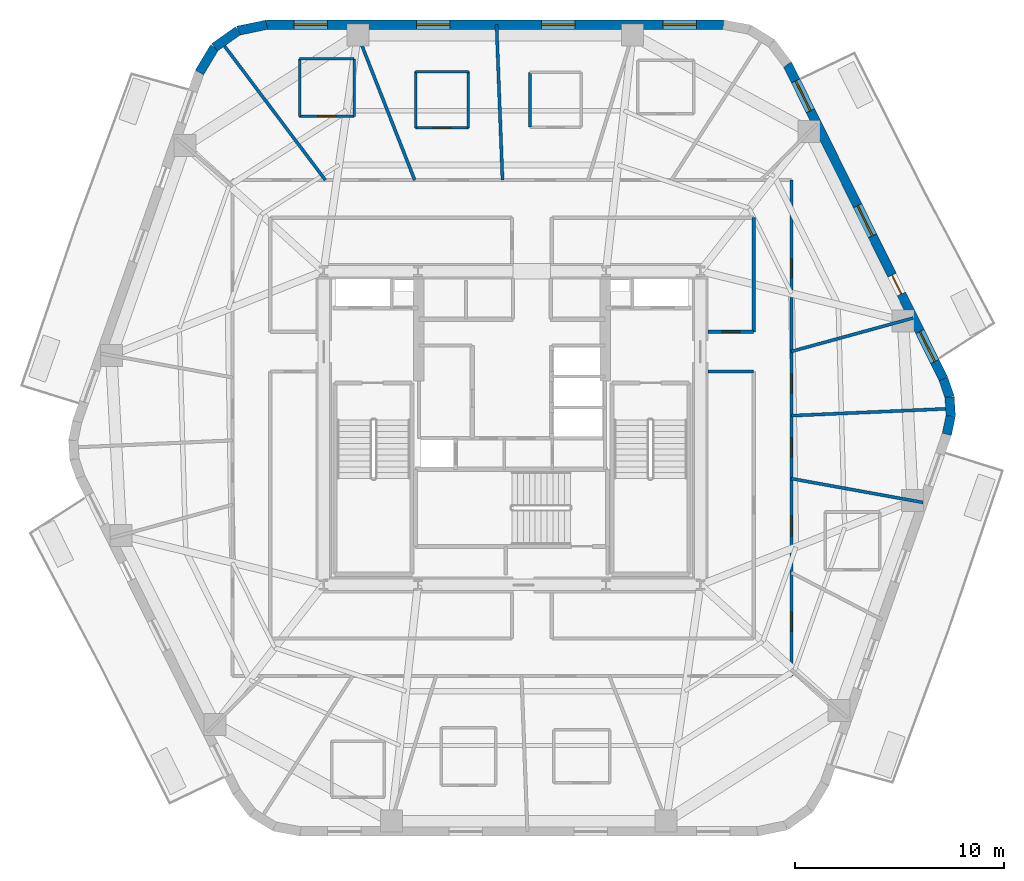
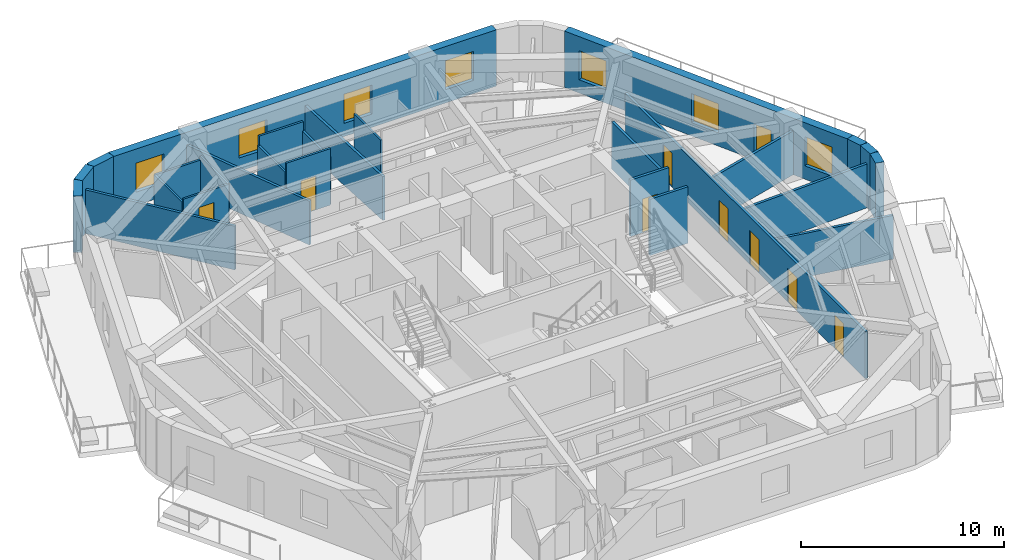
# One storey, part 6 of 10: 27 walls, 9 doors, 7 windows, 16 openings.
"""IFC4 building model written with IfcOpenShell, lengths in metres."""

from ifc_helpers import new_model, si_unit, direction, frame, frame_2d, origin, place, context, subcontext, project, spatial, rectangle, extrude, material, layer, layer_set, type_object, element, fill, save


model = new_model("IFC4")

# Units and contexts
model_context = context("Model", 3, precision=1e-05, world=origin(), true_north=direction((0.0, 1.0)))
body_context = subcontext(model_context, "Body", "Model", "MODEL_VIEW")
ifc_project = project(units=[si_unit("LENGTHUNIT", "METRE"), si_unit("AREAUNIT", "SQUARE_METRE"), si_unit("VOLUMEUNIT", "CUBIC_METRE"), si_unit("PLANEANGLEUNIT", "RADIAN"), si_unit("MASSUNIT", "GRAM", prefix="KILO")], contexts=[model_context])

# Site, building, storey
site_placement = place(None, origin())
site = spatial("IfcSite", under=ifc_project, at=site_placement, CompositionType="ELEMENT")
building_placement = place(site_placement, origin())
building = spatial("IfcBuilding", under=site, at=building_placement, Name="Kilnhurst Terrace Hotel", CompositionType="ELEMENT")
storey_placement = place(building_placement, frame((0.0, 0.0, 183.0)))
storey = spatial("IfcBuildingStorey", under=building, at=storey_placement, Name="L45", CompositionType="ELEMENT", Elevation=183.0)

# Walls
ifc_material_1 = material(Name="Precast concrete C40/50", Category="concrete")
ifc_layer_1 = layer(ifc_material_1, 0.449951171875, Name="Precast concrete C40/50")
ifc_layer_set_1 = layer_set([ifc_layer_1], Name="Precast concrete C40/50")
wall_type_1 = type_object("IfcWallType", Name="WL-BRK-450", PredefinedType="SOLIDWALL", material=ifc_layer_set_1)
wall_1_placement = place(storey_placement, frame((20.78173828125, -0.298095703125, 0.0), z_axis=(0.0, 0.0, 1.0), x_axis=(0.202570068411, 0.979267771033, 0.0)))
element("IfcWall", 1, at=wall_1_placement, inside=storey, type_object=wall_type_1, Name="L45 Rounded Corner Brick Wall C3.1", PredefinedType="SOLIDWALL", context=body_context, shape_type="SweptSolid", body=[
    extrude(rectangle(XDim=0.90869140625, YDim=0.449951171875, at=frame_2d((0.454345703125, 0.0))), origin(), (0.0, 0.0, 1.0), 3.39990234375),
])
wall_2_placement = place(storey_placement, frame((20.9658203125, 0.591796875, 0.0), z_axis=(0.0, 0.0, 1.0), x_axis=(-0.061748898935, 0.998091715966, 0.0)))
element("IfcWall", 2, at=wall_2_placement, inside=storey, type_object=wall_type_1, Name="L45 Rounded Corner Brick Wall C3.2", PredefinedType="SOLIDWALL", context=body_context, shape_type="SweptSolid", body=[
    extrude(rectangle(XDim=0.8935546875, YDim=0.449951171875, at=frame_2d((0.44677734375, 0.0))), origin(), (0.0, 0.0, 1.0), 3.39990234375),
])
wall_3_placement = place(storey_placement, frame((20.91064453125, 1.483642578125, 0.0), z_axis=(0.0, 0.0, 1.0), x_axis=(-0.321623334353, 0.946867694453, 0.0)))
element("IfcWall", 3, at=wall_3_placement, inside=storey, type_object=wall_type_1, Name="L45 Rounded Corner Brick Wall C3.3", PredefinedType="SOLIDWALL", context=body_context, shape_type="SweptSolid", body=[
    extrude(rectangle(XDim=0.90869140625, YDim=0.449951171875, at=frame_2d((0.454345703125, 0.0))), origin(), (0.0, 0.0, 1.0), 3.39990234375),
])
wall_4_placement = place(storey_placement, frame((-11.720458984375, 19.27490234375, 0.0), z_axis=(0.0, 0.0, 1.0), x_axis=(-0.97893106758, -0.204191001093, 0.0)))
element("IfcWall", 4, at=wall_4_placement, inside=storey, type_object=wall_type_1, Name="L45 Rounded Corner Brick Wall C5.1", PredefinedType="SOLIDWALL", context=body_context, shape_type="SweptSolid", body=[
    extrude(rectangle(XDim=1.400146484375, YDim=0.449951171875, at=frame_2d((0.7001953125, 0.0))), origin(), (0.0, 0.0, 1.0), 3.39990234375),
])
wall_5_placement = place(storey_placement, frame((-13.091064453125, 18.989013671875, 0.0), z_axis=(0.0, 0.0, 1.0), x_axis=(-0.815574637848, -0.578651890258, 0.0)))
element("IfcWall", 5, at=wall_5_placement, inside=storey, type_object=wall_type_1, Name="L45 Rounded Corner Brick Wall C5.2", PredefinedType="SOLIDWALL", context=body_context, shape_type="SweptSolid", body=[
    extrude(rectangle(XDim=1.376708984375, YDim=0.449951171875, at=frame_2d((0.6884765625, 0.0))), origin(), (0.0, 0.0, 1.0), 3.39990234375),
])
wall_6_placement = place(storey_placement, frame((-14.2138671875, 18.1923828125, 0.0), z_axis=(0.0, 0.0, 1.0), x_axis=(-0.516340945502, -0.856383108193, 0.0)))
element("IfcWall", 6, at=wall_6_placement, inside=storey, type_object=wall_type_1, Name="L45 Rounded Corner Brick Wall C5.3", PredefinedType="SOLIDWALL", context=body_context, shape_type="SweptSolid", body=[
    extrude(rectangle(XDim=1.400146484375, YDim=0.449951171875, at=frame_2d((0.7001953125, 0.0))), origin(), (0.0, 0.0, 1.0), 3.39990234375),
])

# Wall, openings, door, windows
wall_7_placement = place(storey_placement, frame((20.618408203125, 2.343994140625, 0.0), z_axis=(0.0, 0.0, 1.0), x_axis=(-0.444243691097, 0.895905990002, 0.0)))
wall_7 = element("IfcWall", 7, at=wall_7_placement, inside=storey, type_object=wall_type_1, Name="L45 Exterior Brick Facade Wall F3", PredefinedType="SOLIDWALL", context=body_context, shape_type="SweptSolid", body=[
    extrude(rectangle(XDim=16.78369140625, YDim=0.449951171875, at=frame_2d((8.391845703125, 0.0))), origin(), (0.0, 0.0, 1.0), 3.39990234375),
])
opening_1_placement = place(wall_7_placement, frame((4.534912109375, 0.0, 0.0)))
opening_1 = element("IfcOpeningElement", 8, at=opening_1_placement, cuts=wall_7, Name="Opening BD-1000", PredefinedType="OPENING", context=body_context, shape_type="SweptSolid", body=[
    extrude(rectangle(XDim=1.0, YDim=2.14990234375, at=frame_2d((0.5, 1.074951171875))), frame((0.0, 0.23486328125, 0.0), z_axis=(0.0, -1.0, 0.0), x_axis=(1.0, 0.0, 0.0)), (0.0, 0.0, 1.0), 0.469970703125),
])
opening_2_placement = place(wall_7_placement, frame((0.930908203125, 0.0, 0.800048828125)))
opening_2 = element("IfcOpeningElement", 9, at=opening_2_placement, cuts=wall_7, Name="Opening W-05", PredefinedType="OPENING", context=body_context, shape_type="SweptSolid", body=[
    extrude(rectangle(XDim=1.60009765625, YDim=1.75, at=frame_2d((0.800048828125, 0.875))), frame((0.0, 0.23486328125, 0.0), z_axis=(0.0, -1.0, 0.0), x_axis=(1.0, 0.0, 0.0)), (0.0, 0.0, 1.0), 0.469970703125),
])
opening_3_placement = place(wall_7_placement, frame((7.64208984375, 0.0, 0.800048828125)))
opening_3 = element("IfcOpeningElement", 10, at=opening_3_placement, cuts=wall_7, Name="Opening W-05", PredefinedType="OPENING", context=body_context, shape_type="SweptSolid", body=[
    extrude(rectangle(XDim=1.60009765625, YDim=1.75, at=frame_2d((0.800048828125, 0.875))), frame((0.0, 0.23486328125, 0.0), z_axis=(0.0, -1.0, 0.0), x_axis=(1.0, 0.0, 0.0)), (0.0, 0.0, 1.0), 0.469970703125),
])
opening_4_placement = place(wall_7_placement, frame((14.302978515625, 0.0, 0.800048828125)))
opening_4 = element("IfcOpeningElement", 11, at=opening_4_placement, cuts=wall_7, Name="Opening W-05", PredefinedType="OPENING", context=body_context, shape_type="SweptSolid", body=[
    extrude(rectangle(XDim=1.60009765625, YDim=1.75, at=frame_2d((0.800048828125, 0.875))), frame((0.0, 0.23486328125, 0.0), z_axis=(0.0, -1.0, 0.0), x_axis=(1.0, 0.0, 0.0)), (0.0, 0.0, 1.0), 0.469970703125),
])
ifc_material_2 = material(Name="Thermally Broken Bronze Aluminium Alloy 6063-T6 and Laminated Glass", Category="aluminium")
door_type_1 = type_object("IfcDoorType", Name="DR-EXT-BAL-1000", OperationType="NOTDEFINED", PredefinedType="DOOR", material=ifc_material_2)
door_1_placement = place(opening_1_placement, origin())
door_1 = element("IfcDoor", 12, at=door_1_placement, inside=storey, type_object=door_type_1, Name="L45 Planted Balcony Door BAL-L1B", OperationType="SINGLE_SWING_LEFT", OverallHeight=2.14990234375, OverallWidth=1.0, PredefinedType="DOOR", context=body_context, shape_type="SweptSolid", body=[
    extrude(rectangle(XDim=1.0, YDim=2.14990234375, at=frame_2d((0.5, 1.074951171875))), frame((0.0, 0.02490234375, 0.0), z_axis=(0.0, -1.0, 0.0), x_axis=(1.0, 0.0, 0.0)), (0.0, 0.0, 1.0), 0.050048828125),
])
fill(opening_1, door_1)
ifc_material_3 = material(Name="Thermally Broken Bronze Aluminium Alloy 6063-T6 and Low-E Glass", Category="aluminium")
window_type = type_object("IfcWindowType", Name="WIN-1600X1750", PartitioningType="SINGLE_PANEL", PredefinedType="WINDOW", material=ifc_material_3)
window_1_placement = place(opening_2_placement, origin())
window_1 = element("IfcWindow", 13, at=window_1_placement, inside=storey, type_object=window_type, Name="L45 Deep-Set Masonry Window F3.1", OverallHeight=1.75, OverallWidth=1.60009765625, PartitioningType="SINGLE_PANEL", PredefinedType="WINDOW", context=body_context, shape_type="SweptSolid", body=[
    extrude(rectangle(XDim=1.60009765625, YDim=1.75, at=frame_2d((0.800048828125, 0.875))), frame((0.0, 0.030029296875, 0.0), z_axis=(0.0, -1.0, 0.0), x_axis=(1.0, 0.0, 0.0)), (0.0, 0.0, 1.0), 0.06005859375),
])
fill(opening_2, window_1)
window_2_placement = place(opening_3_placement, origin())
window_2 = element("IfcWindow", 14, at=window_2_placement, inside=storey, type_object=window_type, Name="L45 Deep-Set Masonry Window F3.2", OverallHeight=1.75, OverallWidth=1.60009765625, PartitioningType="SINGLE_PANEL", PredefinedType="WINDOW", context=body_context, shape_type="SweptSolid", body=[
    extrude(rectangle(XDim=1.60009765625, YDim=1.75, at=frame_2d((0.800048828125, 0.875))), frame((0.0, 0.030029296875, 0.0), z_axis=(0.0, -1.0, 0.0), x_axis=(1.0, 0.0, 0.0)), (0.0, 0.0, 1.0), 0.06005859375),
])
fill(opening_3, window_2)
window_3_placement = place(opening_4_placement, origin())
window_3 = element("IfcWindow", 15, at=window_3_placement, inside=storey, type_object=window_type, Name="L45 Deep-Set Masonry Window F3.3", OverallHeight=1.75, OverallWidth=1.60009765625, PartitioningType="SINGLE_PANEL", PredefinedType="WINDOW", context=body_context, shape_type="SweptSolid", body=[
    extrude(rectangle(XDim=1.60009765625, YDim=1.75, at=frame_2d((0.800048828125, 0.875))), frame((0.0, 0.030029296875, 0.0), z_axis=(0.0, -1.0, 0.0), x_axis=(1.0, 0.0, 0.0)), (0.0, 0.0, 1.0), 0.06005859375),
])
fill(opening_4, window_3)

# Wall, openings, windows
wall_8_placement = place(storey_placement, frame((10.1083984375, 19.27490234375, 0.0), z_axis=(0.0, 0.0, 1.0), x_axis=(-1.0, 0.0, 0.0)))
wall_8 = element("IfcWall", 16, at=wall_8_placement, inside=storey, type_object=wall_type_1, Name="L45 Exterior Brick Facade Wall F4", PredefinedType="SOLIDWALL", context=body_context, shape_type="SweptSolid", body=[
    extrude(rectangle(XDim=21.828857421875, YDim=0.449951171875, at=frame_2d((10.91455078125, 0.0))), origin(), (0.0, 0.0, 1.0), 3.39990234375),
])
opening_5_placement = place(wall_8_placement, frame((1.297119140625, 0.0, 0.800048828125)))
opening_5 = element("IfcOpeningElement", 17, at=opening_5_placement, cuts=wall_8, Name="Opening W-05", PredefinedType="OPENING", context=body_context, shape_type="SweptSolid", body=[
    extrude(rectangle(XDim=1.60009765625, YDim=1.75, at=frame_2d((0.800048828125, 0.875))), frame((0.0, 0.23486328125, 0.0), z_axis=(0.0, -1.0, 0.0), x_axis=(1.0, 0.0, 0.0)), (0.0, 0.0, 1.0), 0.469970703125),
])
opening_6_placement = place(wall_8_placement, frame((7.090087890625, 0.0, 0.800048828125)))
opening_6 = element("IfcOpeningElement", 18, at=opening_6_placement, cuts=wall_8, Name="Opening W-05", PredefinedType="OPENING", context=body_context, shape_type="SweptSolid", body=[
    extrude(rectangle(XDim=1.60009765625, YDim=1.75, at=frame_2d((0.800048828125, 0.875))), frame((0.0, 0.23486328125, 0.0), z_axis=(0.0, -1.0, 0.0), x_axis=(1.0, 0.0, 0.0)), (0.0, 0.0, 1.0), 0.469970703125),
])
opening_7_placement = place(wall_8_placement, frame((13.072021484375, 0.0, 0.800048828125)))
opening_7 = element("IfcOpeningElement", 19, at=opening_7_placement, cuts=wall_8, Name="Opening W-05", PredefinedType="OPENING", context=body_context, shape_type="SweptSolid", body=[
    extrude(rectangle(XDim=1.60009765625, YDim=1.75, at=frame_2d((0.800048828125, 0.875))), frame((0.0, 0.23486328125, 0.0), z_axis=(0.0, -1.0, 0.0), x_axis=(1.0, 0.0, 0.0)), (0.0, 0.0, 1.0), 0.469970703125),
])
opening_8_placement = place(wall_8_placement, frame((18.93310546875, 0.0, 0.800048828125)))
opening_8 = element("IfcOpeningElement", 20, at=opening_8_placement, cuts=wall_8, Name="Opening W-05", PredefinedType="OPENING", context=body_context, shape_type="SweptSolid", body=[
    extrude(rectangle(XDim=1.60009765625, YDim=1.75, at=frame_2d((0.800048828125, 0.875))), frame((0.0, 0.23486328125, 0.0), z_axis=(0.0, -1.0, 0.0), x_axis=(1.0, 0.0, 0.0)), (0.0, 0.0, 1.0), 0.469970703125),
])
window_4_placement = place(opening_5_placement, origin())
window_4 = element("IfcWindow", 21, at=window_4_placement, inside=storey, type_object=window_type, Name="L45 Deep-Set Masonry Window F4.1", OverallHeight=1.75, OverallWidth=1.60009765625, PartitioningType="SINGLE_PANEL", PredefinedType="WINDOW", context=body_context, shape_type="SweptSolid", body=[
    extrude(rectangle(XDim=1.60009765625, YDim=1.75, at=frame_2d((0.800048828125, 0.875))), frame((0.0, 0.030029296875, 0.0), z_axis=(0.0, -1.0, 0.0), x_axis=(1.0, 0.0, 0.0)), (0.0, 0.0, 1.0), 0.06005859375),
])
fill(opening_5, window_4)
window_5_placement = place(opening_6_placement, origin())
window_5 = element("IfcWindow", 22, at=window_5_placement, inside=storey, type_object=window_type, Name="L45 Deep-Set Masonry Window F4.2", OverallHeight=1.75, OverallWidth=1.60009765625, PartitioningType="SINGLE_PANEL", PredefinedType="WINDOW", context=body_context, shape_type="SweptSolid", body=[
    extrude(rectangle(XDim=1.60009765625, YDim=1.75, at=frame_2d((0.800048828125, 0.875))), frame((0.0, 0.030029296875, 0.0), z_axis=(0.0, -1.0, 0.0), x_axis=(1.0, 0.0, 0.0)), (0.0, 0.0, 1.0), 0.06005859375),
])
fill(opening_6, window_5)
window_6_placement = place(opening_7_placement, origin())
window_6 = element("IfcWindow", 23, at=window_6_placement, inside=storey, type_object=window_type, Name="L45 Deep-Set Masonry Window F4.3", OverallHeight=1.75, OverallWidth=1.60009765625, PartitioningType="SINGLE_PANEL", PredefinedType="WINDOW", context=body_context, shape_type="SweptSolid", body=[
    extrude(rectangle(XDim=1.60009765625, YDim=1.75, at=frame_2d((0.800048828125, 0.875))), frame((0.0, 0.030029296875, 0.0), z_axis=(0.0, -1.0, 0.0), x_axis=(1.0, 0.0, 0.0)), (0.0, 0.0, 1.0), 0.06005859375),
])
fill(opening_7, window_6)
window_7_placement = place(opening_8_placement, origin())
window_7 = element("IfcWindow", 24, at=window_7_placement, inside=storey, type_object=window_type, Name="L45 Deep-Set Masonry Window F4.4", OverallHeight=1.75, OverallWidth=1.60009765625, PartitioningType="SINGLE_PANEL", PredefinedType="WINDOW", context=body_context, shape_type="SweptSolid", body=[
    extrude(rectangle(XDim=1.60009765625, YDim=1.75, at=frame_2d((0.800048828125, 0.875))), frame((0.0, 0.030029296875, 0.0), z_axis=(0.0, -1.0, 0.0), x_axis=(1.0, 0.0, 0.0)), (0.0, 0.0, 1.0), 0.06005859375),
])
fill(opening_8, window_7)

# Wall, openings, doors
ifc_material_4 = material(Name="Acoustic Double-Gypsum Corridor Partition Assembly")
ifc_layer_2 = layer(ifc_material_4, 0.14990234375, Name="Acoustic Double-Gypsum Corridor Partition Assembly")
ifc_layer_set_2 = layer_set([ifc_layer_2], Name="Acoustic Double-Gypsum Corridor Partition Assembly")
wall_type_2 = type_object("IfcWallType", Name="WL-COR-150", PredefinedType="PARTITIONING", material=ifc_layer_set_2)
wall_9_placement = place(storey_placement, frame((13.35009765625, 11.85009765625, 0.0), z_axis=(0.0, 0.0, 1.0), x_axis=(0.0, -1.0, 0.0)))
wall_9 = element("IfcWall", 25, at=wall_9_placement, inside=storey, type_object=wall_type_2, Name="L45 Interior Wall WL-L45-COR-04", PredefinedType="PARTITIONING", context=body_context, shape_type="SweptSolid", body=[
    extrude(rectangle(XDim=23.7001953125, YDim=0.14990234375, at=frame_2d((11.85009765625, 0.0))), origin(), (0.0, 0.0, 1.0), 2.840087890625),
])
opening_9_placement = place(wall_9_placement, frame((9.27001953125, 0.0, 0.0)))
opening_9 = element("IfcOpeningElement", 26, at=opening_9_placement, cuts=wall_9, Name="Opening D-60C", PredefinedType="OPENING", context=body_context, shape_type="SweptSolid", body=[
    extrude(rectangle(XDim=0.89990234375, YDim=2.030029296875, at=frame_2d((0.449951171875, 1.01513671875))), frame((0.0, 0.0849609375, 0.0), z_axis=(0.0, -1.0, 0.0), x_axis=(1.0, 0.0, 0.0)), (0.0, 0.0, 1.0), 0.169921875),
])
opening_10_placement = place(wall_9_placement, frame((3.764892578125, 0.0, 0.0)))
opening_10 = element("IfcOpeningElement", 27, at=opening_10_placement, cuts=wall_9, Name="Opening D-60C", PredefinedType="OPENING", context=body_context, shape_type="SweptSolid", body=[
    extrude(rectangle(XDim=0.89990234375, YDim=2.030029296875, at=frame_2d((0.449951171875, 1.01513671875))), frame((0.0, 0.0849609375, 0.0), z_axis=(0.0, -1.0, 0.0), x_axis=(1.0, 0.0, 0.0)), (0.0, 0.0, 1.0), 0.169921875),
])
opening_11_placement = place(wall_9_placement, frame((20.662109375, 0.0, 0.0)))
opening_11 = element("IfcOpeningElement", 28, at=opening_11_placement, cuts=wall_9, Name="Opening D-60C", PredefinedType="OPENING", context=body_context, shape_type="SweptSolid", body=[
    extrude(rectangle(XDim=0.89990234375, YDim=2.030029296875, at=frame_2d((0.449951171875, 1.01513671875))), frame((0.0, 0.0849609375, 0.0), z_axis=(0.0, -1.0, 0.0), x_axis=(1.0, 0.0, 0.0)), (0.0, 0.0, 1.0), 0.169921875),
])
opening_12_placement = place(wall_9_placement, frame((16.054931640625, 0.0, 0.0)))
opening_12 = element("IfcOpeningElement", 29, at=opening_12_placement, cuts=wall_9, Name="Opening D-60B", PredefinedType="OPENING", context=body_context, shape_type="SweptSolid", body=[
    extrude(rectangle(XDim=0.949951171875, YDim=2.030029296875, at=frame_2d((0.47509765625, 1.01513671875))), frame((0.0, 0.0849609375, 0.0), z_axis=(0.0, -1.0, 0.0), x_axis=(1.0, 0.0, 0.0)), (0.0, 0.0, 1.0), 0.169921875),
])
opening_13_placement = place(wall_9_placement, frame((12.31494140625, 0.0, 0.0)))
opening_13 = element("IfcOpeningElement", 30, at=opening_13_placement, cuts=wall_9, Name="Opening D-60C", PredefinedType="OPENING", context=body_context, shape_type="SweptSolid", body=[
    extrude(rectangle(XDim=0.89990234375, YDim=2.030029296875, at=frame_2d((0.449951171875, 1.01513671875))), frame((0.0, 0.0849609375, 0.0), z_axis=(0.0, -1.0, 0.0), x_axis=(1.0, 0.0, 0.0)), (0.0, 0.0, 1.0), 0.169921875),
])
ifc_material_5 = material(Name="Painted Solid-Core Service Fire Door")
door_type_2 = type_object("IfcDoorType", Name="DR-FD60-900", OperationType="NOTDEFINED", PredefinedType="DOOR", material=ifc_material_5)
door_2_placement = place(opening_9_placement, origin())
door_2 = element("IfcDoor", 31, at=door_2_placement, inside=storey, type_object=door_type_2, Name="L45 Private Study Salon Door 1", OperationType="SINGLE_SWING_LEFT", OverallHeight=2.030029296875, OverallWidth=0.89990234375, PredefinedType="DOOR", context=body_context, shape_type="SweptSolid", body=[
    extrude(rectangle(XDim=0.89990234375, YDim=2.030029296875, at=frame_2d((0.449951171875, 1.01513671875))), frame((0.0, 0.02490234375, 0.0), z_axis=(0.0, -1.0, 0.0), x_axis=(1.0, 0.0, 0.0)), (0.0, 0.0, 1.0), 0.050048828125),
])
fill(opening_9, door_2)
door_3_placement = place(opening_10_placement, origin())
door_3 = element("IfcDoor", 32, at=door_3_placement, inside=storey, type_object=door_type_2, Name="L45 Executive Work Office Door 2", OperationType="SINGLE_SWING_RIGHT", OverallHeight=2.030029296875, OverallWidth=0.89990234375, PredefinedType="DOOR", context=body_context, shape_type="SweptSolid", body=[
    extrude(rectangle(XDim=0.89990234375, YDim=2.030029296875, at=frame_2d((0.449951171875, 1.01513671875))), frame((0.0, 0.02490234375, 0.0), z_axis=(0.0, -1.0, 0.0), x_axis=(1.0, 0.0, 0.0)), (0.0, 0.0, 1.0), 0.050048828125),
])
fill(opening_10, door_3)
door_4_placement = place(opening_11_placement, origin())
door_4 = element("IfcDoor", 33, at=door_4_placement, inside=storey, type_object=door_type_2, Name="L45 Botanical Reading Lounge Door 18", OperationType="SINGLE_SWING_RIGHT", OverallHeight=2.030029296875, OverallWidth=0.89990234375, PredefinedType="DOOR", context=body_context, shape_type="SweptSolid", body=[
    extrude(rectangle(XDim=0.89990234375, YDim=2.030029296875, at=frame_2d((0.449951171875, 1.01513671875))), frame((0.0, 0.02490234375, 0.0), z_axis=(0.0, -1.0, 0.0), x_axis=(1.0, 0.0, 0.0)), (0.0, 0.0, 1.0), 0.050048828125),
])
fill(opening_11, door_4)
door_5_placement = place(opening_13_placement, origin())
door_5 = element("IfcDoor", 34, at=door_5_placement, inside=storey, type_object=door_type_2, Name="L45 Private Meeting Salon Door 20", OperationType="SINGLE_SWING_RIGHT", OverallHeight=2.030029296875, OverallWidth=0.89990234375, PredefinedType="DOOR", context=body_context, shape_type="SweptSolid", body=[
    extrude(rectangle(XDim=0.89990234375, YDim=2.030029296875, at=frame_2d((0.449951171875, 1.01513671875))), frame((0.0, 0.02490234375, 0.0), z_axis=(0.0, -1.0, 0.0), x_axis=(1.0, 0.0, 0.0)), (0.0, 0.0, 1.0), 0.050048828125),
])
fill(opening_13, door_5)
ifc_material_6 = material(Name="Acoustic Walnut Veneer Solid-Core Fire Door")
door_type_3 = type_object("IfcDoorType", Name="DR-FD60-950", OperationType="NOTDEFINED", PredefinedType="DOOR", material=ifc_material_6)
door_6_placement = place(opening_12_placement, origin())
door_6 = element("IfcDoor", 35, at=door_6_placement, inside=storey, type_object=door_type_3, Name="L45 Guest Room Entry Door 19", OperationType="SINGLE_SWING_LEFT", OverallHeight=2.030029296875, OverallWidth=0.949951171875, PredefinedType="DOOR", context=body_context, shape_type="SweptSolid", body=[
    extrude(rectangle(XDim=0.949951171875, YDim=2.030029296875, at=frame_2d((0.47509765625, 1.01513671875))), frame((0.0, 0.02490234375, 0.0), z_axis=(0.0, -1.0, 0.0), x_axis=(1.0, 0.0, 0.0)), (0.0, 0.0, 1.0), 0.050048828125),
])
fill(opening_12, door_6)

# Wall
wall_10_placement = place(storey_placement, frame((11.550048828125, 2.699951171875, 0.0), z_axis=(0.0, 0.0, 1.0), x_axis=(-1.0, 0.0, 0.0)))
element("IfcWall", 36, at=wall_10_placement, inside=storey, type_object=wall_type_2, Name="L45 Interior Wall WL-L45-COR-06", PredefinedType="PARTITIONING", context=body_context, shape_type="SweptSolid", body=[
    extrude(rectangle(XDim=2.175048828125, YDim=0.14990234375, at=frame_2d((1.08740234375, 0.0))), origin(), (0.0, 0.0, 1.0), 3.39990234375),
])

# Wall, opening, door
wall_11_placement = place(storey_placement, frame((9.375, 4.60009765625, 0.0), z_axis=(0.0, 0.0, 1.0), x_axis=(1.0, 0.0, 0.0)))
wall_11 = element("IfcWall", 37, at=wall_11_placement, inside=storey, type_object=wall_type_2, Name="L45 Interior Wall WL-L45-COR-07", PredefinedType="PARTITIONING", context=body_context, shape_type="SweptSolid", body=[
    extrude(rectangle(XDim=2.175048828125, YDim=0.14990234375, at=frame_2d((1.08740234375, 0.0))), origin(), (0.0, 0.0, 1.0), 3.39990234375),
])
opening_14_placement = place(wall_11_placement, frame((0.6630859375, 0.0, 0.0)))
opening_14 = element("IfcOpeningElement", 38, at=opening_14_placement, cuts=wall_11, Name="Opening D-60D", PredefinedType="OPENING", context=body_context, shape_type="SweptSolid", body=[
    extrude(rectangle(XDim=0.85009765625, YDim=2.030029296875, at=frame_2d((0.425048828125, 1.01513671875))), frame((0.0, 0.0849609375, 0.0), z_axis=(0.0, -1.0, 0.0), x_axis=(1.0, 0.0, 0.0)), (0.0, 0.0, 1.0), 0.169921875),
])
ifc_material_7 = material(Name="Painted Hollow Metal Steel ASTM A36 Riser Door", Category="steel")
door_type_4 = type_object("IfcDoorType", Name="DR-FD60-850", OperationType="NOTDEFINED", PredefinedType="DOOR", material=ifc_material_7)
door_7_placement = place(opening_14_placement, origin())
door_7 = element("IfcDoor", 39, at=door_7_placement, inside=storey, type_object=door_type_4, Name="L45 Floor Beverage Service Room Door", OperationType="SINGLE_SWING_LEFT", OverallHeight=2.030029296875, OverallWidth=0.85009765625, PredefinedType="DOOR", context=body_context, shape_type="SweptSolid", body=[
    extrude(rectangle(XDim=0.85009765625, YDim=2.030029296875, at=frame_2d((0.425048828125, 1.01513671875))), frame((0.0, 0.02490234375, 0.0), z_axis=(0.0, -1.0, 0.0), x_axis=(1.0, 0.0, 0.0)), (0.0, 0.0, 1.0), 0.050048828125),
])
fill(opening_14, door_7)

# Walls
wall_12_placement = place(storey_placement, frame((11.550048828125, 4.60009765625, 0.0), z_axis=(0.0, 0.0, 1.0), x_axis=(0.0, 1.0, 0.0)))
element("IfcWall", 40, at=wall_12_placement, inside=storey, type_object=wall_type_2, Name="L45 Interior Wall WL-L45-COR-08", PredefinedType="PARTITIONING", context=body_context, shape_type="SweptSolid", body=[
    extrude(rectangle(XDim=5.449951171875, YDim=0.14990234375, at=frame_2d((2.72509765625, 0.0))), origin(), (0.0, 0.0, 1.0), 2.840087890625),
])
ifc_material_8 = material(Name="STC-58 Acoustic Twin-Frame Guestroom Demising Partition")
ifc_layer_3 = layer(ifc_material_8, 0.14990234375, Name="STC-58 Acoustic Twin-Frame Guestroom Demising Partition")
ifc_layer_set_3 = layer_set([ifc_layer_3], Name="STC-58 Acoustic Twin-Frame Guestroom Demising Partition")
wall_type_3 = type_object("IfcWallType", Name="WL-DEM-150", PredefinedType="PARTITIONING", material=ifc_layer_set_3)
wall_13_placement = place(storey_placement, frame((13.35009765625, 0.591064453125, 0.0), z_axis=(0.0, 0.0, 1.0), x_axis=(0.999020359631, 0.044252921296, 0.0)))
element("IfcWall", 41, at=wall_13_placement, inside=storey, type_object=wall_type_3, Name="L45 Interior Wall WL-L45-DEM-MID12-01-1", PredefinedType="PARTITIONING", context=body_context, shape_type="SweptSolid", body=[
    extrude(rectangle(XDim=7.4423828125, YDim=0.14990234375, at=frame_2d((3.72119140625, 0.0))), origin(), (0.0, 0.0, 1.0), 2.639892578125),
])
wall_14_placement = place(storey_placement, frame((13.35009765625, 3.66064453125, 0.0), z_axis=(0.0, 0.0, 1.0), x_axis=(0.964397145454, 0.264458211898, 0.0)))
element("IfcWall", 42, at=wall_14_placement, inside=storey, type_object=wall_type_3, Name="L45 Interior Wall WL-L45-DEM-COL01-02-1", PredefinedType="PARTITIONING", context=body_context, shape_type="SweptSolid", body=[
    extrude(rectangle(XDim=6.03857421875, YDim=0.14990234375, at=frame_2d((3.019287109375, 0.0))), origin(), (0.0, 0.0, 1.0), 2.639892578125),
])
wall_15_placement = place(storey_placement, frame((-0.453857421875, 11.85009765625, 0.0), z_axis=(0.0, 0.0, 1.0), x_axis=(-0.038279171143, 0.999267083945, 0.0)))
element("IfcWall", 43, at=wall_15_placement, inside=storey, type_object=wall_type_3, Name="L45 Interior Wall WL-L45-DEM-MID03-06-1", PredefinedType="PARTITIONING", context=body_context, shape_type="SweptSolid", body=[
    extrude(rectangle(XDim=7.43017578125, YDim=0.14990234375, at=frame_2d((3.715087890625, 0.0))), origin(), (0.0, 0.0, 1.0), 2.639892578125),
])
wall_16_placement = place(storey_placement, frame((-4.64990234375, 11.85009765625, 0.0), z_axis=(0.0, 0.0, 1.0), x_axis=(-0.365265947993, 0.930903210456, 0.0)))
element("IfcWall", 44, at=wall_16_placement, inside=storey, type_object=wall_type_3, Name="L45 Interior Wall WL-L45-DEM-COL04-07-1", PredefinedType="PARTITIONING", context=body_context, shape_type="SweptSolid", body=[
    extrude(rectangle(XDim=7.975830078125, YDim=0.14990234375, at=frame_2d((3.98779296875, 0.0))), origin(), (0.0, 0.0, 1.0), 2.639892578125),
])
wall_17_placement = place(storey_placement, frame((-8.91845703125, 11.85009765625, 0.0), z_axis=(0.0, 0.0, 1.0), x_axis=(-0.601347965064, 0.798987249531, 0.0)))
element("IfcWall", 45, at=wall_17_placement, inside=storey, type_object=wall_type_3, Name="L45 Interior Wall WL-L45-DEM-MID04-08-1", PredefinedType="PARTITIONING", context=body_context, shape_type="SweptSolid", body=[
    extrude(rectangle(XDim=8.080078125, YDim=0.14990234375, at=frame_2d((4.0400390625, 0.0))), origin(), (0.0, 0.0, 1.0), 2.639892578125),
])
wall_18_placement = place(storey_placement, frame((13.35009765625, -2.417236328125, 0.0), z_axis=(0.0, 0.0, 1.0), x_axis=(0.98399796473, -0.178179699761, 0.0)))
element("IfcWall", 46, at=wall_18_placement, inside=storey, type_object=wall_type_3, Name="L45 Interior Wall WL-L45-DEM-COL12-20-1", PredefinedType="PARTITIONING", context=body_context, shape_type="SweptSolid", body=[
    extrude(rectangle(XDim=6.393310546875, YDim=0.14990234375, at=frame_2d((3.19677734375, 0.0))), origin(), (0.0, 0.0, 1.0), 2.639892578125),
])
ifc_material_9 = material(Name="120 mm Moisture-Resistant Tile-Backed Bathroom Partition")
ifc_layer_4 = layer(ifc_material_9, 0.1201171875, Name="120 mm Moisture-Resistant Tile-Backed Bathroom Partition")
ifc_layer_set_4 = layer_set([ifc_layer_4], Name="120 mm Moisture-Resistant Tile-Backed Bathroom Partition")
wall_type_4 = type_object("IfcWallType", Name="WL-PART-120", PredefinedType="PARTITIONING", material=ifc_layer_set_4)
wall_19_placement = place(storey_placement, frame((0.860107421875, 16.992919921875, 0.0), z_axis=(0.0, 0.0, 1.0), x_axis=(0.0, -1.0, 0.0)))
element("IfcWall", 47, at=wall_19_placement, inside=storey, type_object=wall_type_4, Name="L45 Interior Wall WL-L45-BTH-05-4", PredefinedType="PARTITIONING", context=body_context, shape_type="SweptSolid", body=[
    extrude(rectangle(XDim=2.60986328125, YDim=0.1201171875, at=frame_2d((1.304931640625, 0.0))), origin(), (0.0, 0.0, 1.0), 2.840576171875),
])

# Wall, opening, door
wall_20_placement = place(storey_placement, frame((-4.60009765625, 14.347900390625, 0.0), z_axis=(0.0, 0.0, 1.0), x_axis=(1.0, 0.0, 0.0)))
wall_20 = element("IfcWall", 48, at=wall_20_placement, inside=storey, type_object=wall_type_4, Name="L45 Interior Wall WL-L45-BTH-06-1", PredefinedType="PARTITIONING", context=body_context, shape_type="SweptSolid", body=[
    extrude(rectangle(XDim=2.52001953125, YDim=0.1201171875, at=frame_2d((1.260009765625, 0.0))), origin(), (0.0, 0.0, 1.0), 3.39990234375),
])
opening_15_placement = place(wall_20_placement, frame((0.8349609375, 0.0, 0.0)))
opening_15 = element("IfcOpeningElement", 49, at=opening_15_placement, cuts=wall_20, Name="Opening D-08A", PredefinedType="OPENING", context=body_context, shape_type="SweptSolid", body=[
    extrude(rectangle(XDim=0.85009765625, YDim=2.030029296875, at=frame_2d((0.425048828125, 1.01513671875))), frame((0.0, 0.070068359375, 0.0), z_axis=(0.0, -1.0, 0.0), x_axis=(1.0, 0.0, 0.0)), (0.0, 0.0, 1.0), 0.14013671875),
])
ifc_material_10 = material(Name="Moisture-Resistant Lacquered En-suite Bathroom Door")
door_type_5 = type_object("IfcDoorType", Name="DR-INT-850", OperationType="NOTDEFINED", PredefinedType="DOOR", material=ifc_material_10)
door_8_placement = place(opening_15_placement, origin())
door_8 = element("IfcDoor", 50, at=door_8_placement, inside=storey, type_object=door_type_5, Name="L45 En-suite Bathroom Door 6", OperationType="SINGLE_SWING_LEFT", OverallHeight=2.030029296875, OverallWidth=0.85009765625, PredefinedType="DOOR", context=body_context, shape_type="SweptSolid", body=[
    extrude(rectangle(XDim=0.85009765625, YDim=2.030029296875, at=frame_2d((0.425048828125, 1.01513671875))), frame((0.0, 0.02490234375, 0.0), z_axis=(0.0, -1.0, 0.0), x_axis=(1.0, 0.0, 0.0)), (0.0, 0.0, 1.0), 0.050048828125),
])
fill(opening_15, door_8)

# Walls
wall_21_placement = place(storey_placement, frame((-2.080078125, 14.347900390625, 0.0), z_axis=(0.0, 0.0, 1.0), x_axis=(0.0, 1.0, 0.0)))
element("IfcWall", 51, at=wall_21_placement, inside=storey, type_object=wall_type_4, Name="L45 Interior Wall WL-L45-BTH-06-2", PredefinedType="PARTITIONING", context=body_context, shape_type="SweptSolid", body=[
    extrude(rectangle(XDim=2.68017578125, YDim=0.1201171875, at=frame_2d((1.340087890625, 0.0))), origin(), (0.0, 0.0, 1.0), 2.840576171875),
])
wall_22_placement = place(storey_placement, frame((-2.080078125, 17.028076171875, 0.0), z_axis=(0.0, 0.0, 1.0), x_axis=(-1.0, 0.0, 0.0)))
element("IfcWall", 52, at=wall_22_placement, inside=storey, type_object=wall_type_4, Name="L45 Interior Wall WL-L45-BTH-06-3", PredefinedType="PARTITIONING", context=body_context, shape_type="SweptSolid", body=[
    extrude(rectangle(XDim=2.52001953125, YDim=0.1201171875, at=frame_2d((1.260009765625, 0.0))), origin(), (0.0, 0.0, 1.0), 3.39990234375),
])
wall_23_placement = place(storey_placement, frame((-4.60009765625, 17.028076171875, 0.0), z_axis=(0.0, 0.0, 1.0), x_axis=(0.0, -1.0, 0.0)))
element("IfcWall", 53, at=wall_23_placement, inside=storey, type_object=wall_type_4, Name="L45 Interior Wall WL-L45-BTH-06-4", PredefinedType="PARTITIONING", context=body_context, shape_type="SweptSolid", body=[
    extrude(rectangle(XDim=2.68017578125, YDim=0.1201171875, at=frame_2d((1.340087890625, 0.0))), origin(), (0.0, 0.0, 1.0), 2.840576171875),
])

# Wall, opening, door
wall_24_placement = place(storey_placement, frame((-10.14697265625, 14.89111328125, 0.0), z_axis=(0.0, 0.0, 1.0), x_axis=(1.0, 0.0, 0.0)))
wall_24 = element("IfcWall", 54, at=wall_24_placement, inside=storey, type_object=wall_type_4, Name="L45 Interior Wall WL-L45-BTH-07-1", PredefinedType="PARTITIONING", context=body_context, shape_type="SweptSolid", body=[
    extrude(rectangle(XDim=2.599853515625, YDim=0.1201171875, at=frame_2d((1.2998046875, 0.0))), origin(), (0.0, 0.0, 1.0), 2.840087890625),
])
opening_16_placement = place(wall_24_placement, frame((0.875, 0.0, 0.0)))
opening_16 = element("IfcOpeningElement", 55, at=opening_16_placement, cuts=wall_24, Name="Opening D-08A", PredefinedType="OPENING", context=body_context, shape_type="SweptSolid", body=[
    extrude(rectangle(XDim=0.85009765625, YDim=2.030029296875, at=frame_2d((0.425048828125, 1.01513671875))), frame((0.0, 0.070068359375, 0.0), z_axis=(0.0, -1.0, 0.0), x_axis=(1.0, 0.0, 0.0)), (0.0, 0.0, 1.0), 0.14013671875),
])
door_9_placement = place(opening_16_placement, origin())
door_9 = element("IfcDoor", 56, at=door_9_placement, inside=storey, type_object=door_type_5, Name="L45 En-suite Bathroom Door 7", OperationType="SINGLE_SWING_RIGHT", OverallHeight=2.030029296875, OverallWidth=0.85009765625, PredefinedType="DOOR", context=body_context, shape_type="SweptSolid", body=[
    extrude(rectangle(XDim=0.85009765625, YDim=2.030029296875, at=frame_2d((0.425048828125, 1.01513671875))), frame((0.0, 0.02490234375, 0.0), z_axis=(0.0, -1.0, 0.0), x_axis=(1.0, 0.0, 0.0)), (0.0, 0.0, 1.0), 0.050048828125),
])
fill(opening_16, door_9)

# Walls
wall_25_placement = place(storey_placement, frame((-7.547119140625, 14.89111328125, 0.0), z_axis=(0.0, 0.0, 1.0), x_axis=(0.0, 1.0, 0.0)))
element("IfcWall", 57, at=wall_25_placement, inside=storey, type_object=wall_type_4, Name="L45 Interior Wall WL-L45-BTH-07-2", PredefinedType="PARTITIONING", context=body_context, shape_type="SweptSolid", body=[
    extrude(rectangle(XDim=2.75, YDim=0.1201171875, at=frame_2d((1.375, 0.0))), origin(), (0.0, 0.0, 1.0), 2.840087890625),
])
wall_26_placement = place(storey_placement, frame((-7.547119140625, 17.64111328125, 0.0), z_axis=(0.0, 0.0, 1.0), x_axis=(-1.0, 0.0, 0.0)))
element("IfcWall", 58, at=wall_26_placement, inside=storey, type_object=wall_type_4, Name="L45 Interior Wall WL-L45-BTH-07-3", PredefinedType="PARTITIONING", context=body_context, shape_type="SweptSolid", body=[
    extrude(rectangle(XDim=2.599853515625, YDim=0.1201171875, at=frame_2d((1.2998046875, 0.0))), origin(), (0.0, 0.0, 1.0), 2.639892578125),
])
wall_27_placement = place(storey_placement, frame((-10.14697265625, 17.64111328125, 0.0), z_axis=(0.0, 0.0, 1.0), x_axis=(0.0, -1.0, 0.0)))
element("IfcWall", 59, at=wall_27_placement, inside=storey, type_object=wall_type_4, Name="L45 Interior Wall WL-L45-BTH-07-4", PredefinedType="PARTITIONING", context=body_context, shape_type="SweptSolid", body=[
    extrude(rectangle(XDim=2.75, YDim=0.1201171875, at=frame_2d((1.375, 0.0))), origin(), (0.0, 0.0, 1.0), 2.639892578125),
])

save(model, "model.ifc")
